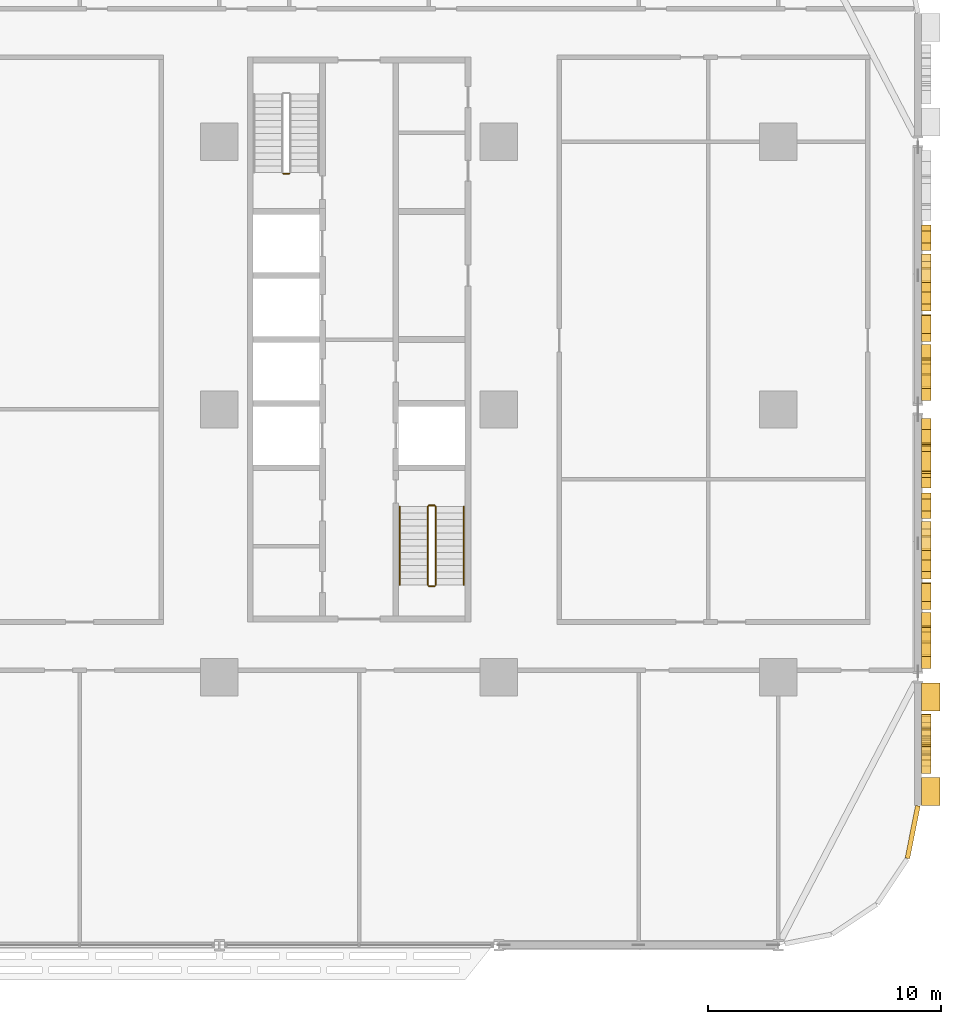
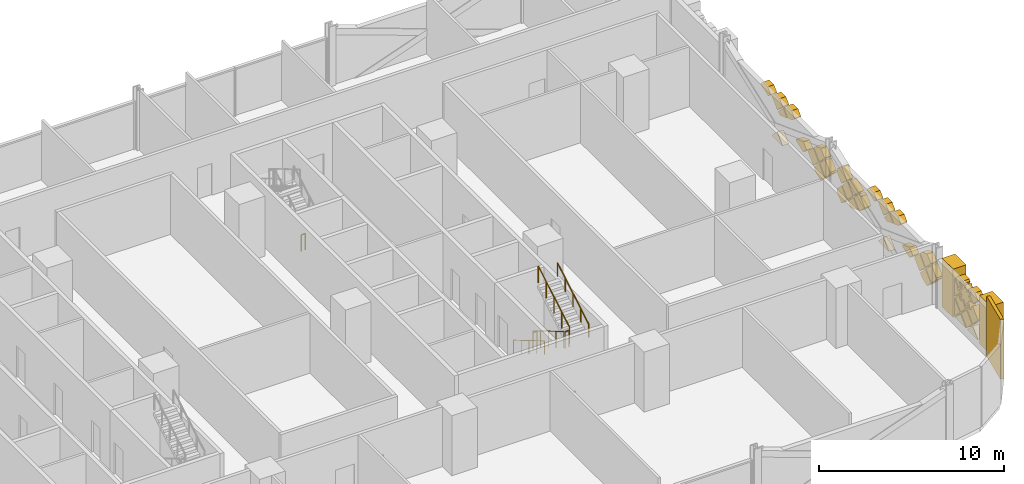
# One storey, part 26 of 28: 39 coverings, 7 railings.
"""IFC4 building model written with IfcOpenShell, lengths in metres."""

from ifc_helpers import new_model, si_unit, direction, frame, origin, origin_2d, place, context, subcontext, project, spatial, polyline, rectangle, circle, outline, extrude, material, layer, layer_set, type_object, element, save


model = new_model("IFC4")

# Units and contexts
model_context = context("Model", 3, precision=1e-05, world=origin(), true_north=direction((0.0, 1.0)))
body_context = subcontext(model_context, "Body", "Model", "MODEL_VIEW")
ifc_project = project(units=[si_unit("LENGTHUNIT", "METRE"), si_unit("AREAUNIT", "SQUARE_METRE"), si_unit("VOLUMEUNIT", "CUBIC_METRE"), si_unit("PLANEANGLEUNIT", "RADIAN"), si_unit("MASSUNIT", "GRAM", prefix="KILO")], contexts=[model_context])

# Site, building, storey
site_placement = place(None, origin())
site = spatial("IfcSite", under=ifc_project, at=site_placement, CompositionType="ELEMENT")
building_placement = place(site_placement, origin())
building = spatial("IfcBuilding", under=site, at=building_placement, Name="Mahtab Terrace Research Tower", CompositionType="ELEMENT")
storey_placement = place(building_placement, frame((0.0, 0.0, 33.0)))
storey = spatial("IfcBuildingStorey", under=building, at=storey_placement, Name="L07", CompositionType="ELEMENT", Elevation=33.0)

# Coverings
ifc_material_1 = material(Name="Black aluminium cladding panel", Category="aluminium")
ifc_layer_1 = layer(ifc_material_1, 0.199951171875)
ifc_layer_set_1 = layer_set([ifc_layer_1], Name="Black metal corner cladding 200")
covering_type_1 = type_object("IfcCoveringType", Name="Black metal corner cladding 200", PredefinedType="CLADDING", material=ifc_layer_set_1)
covering_1_placement = place(storey_placement, frame((47.771484375, -18.14794921875, 0.0), z_axis=(0.0, 0.0, 1.0), x_axis=(0.195212442692, 0.980760981187, 0.0)))
element("IfcCovering", 1, at=covering_1_placement, inside=storey, type_object=covering_type_1, Name="Corner cladding L07 32", PredefinedType="CLADDING", context=body_context, shape_type="SweptSolid", body=[
    extrude(rectangle(XDim=2.30126953125, YDim=0.199951171875, at=origin_2d()), origin(), (0.0, 0.0, 1.0), 3.9599609375),
])
ifc_material_2 = material(Name="Bronze anodised aluminium", Category="aluminium")
ifc_layer_2 = layer(ifc_material_2, 0.39990234375)
ifc_layer_set_2 = layer_set([ifc_layer_2], Name="Mashrabiya relief panel 400")
covering_type_2 = type_object("IfcCoveringType", Name="Mashrabiya relief panel 400", PredefinedType="CLADDING", material=ifc_layer_set_2)
covering_2_placement = place(storey_placement, frame((48.14990234375, -14.10498046875, 2.60107421875), z_axis=(-1.0, 0.0, 0.0), x_axis=(0.0, 0.924784909208, 0.380490304346)))
element("IfcCovering", 2, at=covering_2_placement, inside=storey, type_object=covering_type_2, Name="Girih star panel L07 E33.1", PredefinedType="CLADDING", context=body_context, shape_type="SweptSolid", body=[
    extrude(outline(polyline([(0.0, 0.0), (0.3785719822676483, 0.0), (0.11215445471266995, 0.26895807623038387), (0.37961207055159285, 0.5358142483447127), (0.0017974035497291263, 0.5371818243111587), (0.0017974035497291263, 0.9157538065788071), (-0.26716067268065474, 0.6493362790238286), (-0.5340168447949836, 0.9167938948627515), (-0.5353844207614296, 0.5389792278608878), (-0.9139564030290779, 0.5389792278608878), (-0.6475388754740995, 0.270021151630504), (-0.9149964913130224, 0.0031649795161750593), (-0.5371818243111587, 0.0017974035497291263), (-0.5371818243111587, -0.3767745787179192), (-0.2682237480807748, -0.11035705116294083), (-0.0013675759664459608, -0.3778146670018637), (0.0, 0.0)])), origin(), (0.0, 0.0, -1.0), 0.39990234375),
])
covering_3_placement = place(storey_placement, frame((48.14990234375, -15.6298828125, 0.14990234375), z_axis=(-1.0, 0.0, 0.0), x_axis=(0.0, 0.706957932274, 0.707255598772)))
element("IfcCovering", 3, at=covering_3_placement, inside=storey, type_object=covering_type_2, Name="Mashrabiya lattice cell L07 E33.2", PredefinedType="CLADDING", context=body_context, shape_type="SweptSolid", body=[
    extrude(outline(polyline([(0.0, 0.0), (0.8201817362875763, 0.0), (0.8200090664636573, 0.8203543334390104), (0.7987751838156829, 0.8201772305935179), (-4.43302157367674e-06, 0.021061285496540252), (0.0, 0.0)])), origin(), (0.0, 0.0, -1.0), 0.39990234375),
])
covering_4_placement = place(storey_placement, frame((48.14990234375, -14.469970703125, 1.449951171875), z_axis=(-1.0, 0.0, 0.0), x_axis=(0.0, -0.707255598772, -0.706957932274)))
element("IfcCovering", 4, at=covering_4_placement, inside=storey, type_object=covering_type_2, Name="Mashrabiya lattice cell L07 E33.3", PredefinedType="CLADDING", context=body_context, shape_type="SweptSolid", body=[
    extrude(outline(polyline([(0.0, 0.0), (0.8201817362875763, 0.0), (0.8203543334390104, 0.8200090664636573), (0.00017266982391900276, 0.8203543334390104), (0.00011518588843079103, 0.5472481559346933), (0.08417653916049625, 0.4942319794679374), (0.11402400074357985, 0.4080815829473978), (0.08206910977336403, 0.3240157966537586), (5.7483935488156224e-05, 0.27310617750431704), (0.0, 0.0)])), origin(), (0.0, 0.0, -1.0), 0.39990234375),
])
covering_5_placement = place(storey_placement, frame((48.14990234375, -15.6298828125, 2.75), z_axis=(-1.0, 0.0, 0.0), x_axis=(0.0, 0.706835286964, 0.707378171209)))
element("IfcCovering", 5, at=covering_5_placement, inside=storey, type_object=covering_type_2, Name="Mashrabiya lattice cell L07 E33.4", PredefinedType="CLADDING", context=body_context, shape_type="SweptSolid", body=[
    extrude(outline(polyline([(0.0, 0.0), (0.44971027849414613, 0.0), (0.8200395084317461, 0.3706136609897794), (0.819892388921998, 0.7538599838832514), (0.7272681987663545, 0.5454557879782264), (0.6751481302859101, 0.5057300743037028), (0.619909790899303, 0.4943150582883476), (0.5568922754895989, 0.5106910502044836), (0.510955732781931, 0.5524507242362976), (0.40330905019983293, 0.802555348748941), (0.12903401563658623, 0.6993878588082236), (0.05047683633462874, 0.722663225571144), (-0.0004755538747529542, 0.7891075652371851), (0.0, 0.0)])), origin(), (0.0, 0.0, -1.0), 0.39990234375),
])
covering_6_placement = place(storey_placement, frame((48.14990234375, -14.39990234375, 1.3798828125), z_axis=(-1.0, 0.0, 0.0), x_axis=(0.0, 0.707106781187, -0.707106781187)))
element("IfcCovering", 6, at=covering_6_placement, inside=storey, type_object=covering_type_2, Name="Mashrabiya lattice cell L07 E33.5", PredefinedType="CLADDING", context=body_context, shape_type="SweptSolid", body=[
    extrude(outline(polyline([(0.0, 0.0), (0.8200090846279543, 0.0), (0.820181718119455, 0.820181718119455), (-0.0001726334915006511, 0.820181718119455), (0.0, 0.0)])), origin(), (0.0, 0.0, -1.0), 0.39990234375),
])
covering_7_placement = place(storey_placement, frame((48.14990234375, -14.330078125, 0.14990234375), z_axis=(-1.0, 0.0, 0.0), x_axis=(0.0, 0.707106781187, 0.707106781187)))
element("IfcCovering", 7, at=covering_7_placement, inside=storey, type_object=covering_type_2, Name="Mashrabiya lattice cell L07 E33.6", PredefinedType="CLADDING", context=body_context, shape_type="SweptSolid", body=[
    extrude(outline(polyline([(0.0, 0.0), (0.8203543516109556, 0.0), (0.8203543516109556, 0.8203543516109556), (0.7991204321563791, 0.820181718119455), (0.00017263349150062335, 0.021233919454576502), (0.0, 0.0)])), origin(), (0.0, 0.0, -1.0), 0.39990234375),
])
covering_8_placement = place(storey_placement, frame((48.14990234375, -13.169921875, 1.449951171875), z_axis=(-1.0, 0.0, 0.0), x_axis=(0.0, -0.707255598772, -0.706957932274)))
element("IfcCovering", 8, at=covering_8_placement, inside=storey, type_object=covering_type_2, Name="Mashrabiya lattice cell L07 E33.7", PredefinedType="CLADDING", context=body_context, shape_type="SweptSolid", body=[
    extrude(outline(polyline([(0.0, 0.0), (0.8201817362875763, 0.0), (0.8205204627392961, 0.7891076358333108), (0.7695795944213842, 0.7226544622693455), (0.6910264521358248, 0.6993654744233052), (0.4167335329544889, 0.8024854048553962), (0.3091302189167444, 0.5523621186910813), (0.26043849133135283, 0.5092139935923002), (0.2001862428791442, 0.4942075615130398), (0.13579711322887691, 0.5092402283593183), (0.09281896907207673, 0.5453296750080786), (0.00015864403434978636, 0.7537178071958586), (0.0, 0.0)])), origin(), (0.0, 0.0, -1.0), 0.39990234375),
])
covering_9_placement = place(storey_placement, frame((48.14990234375, -13.169921875, 2.75), z_axis=(-1.0, 0.0, 0.0), x_axis=(0.0, -0.707106781187, -0.707106781187)))
element("IfcCovering", 9, at=covering_9_placement, inside=storey, type_object=covering_type_2, Name="Mashrabiya lattice cell L07 E33.8", PredefinedType="CLADDING", context=body_context, shape_type="SweptSolid", body=[
    extrude(outline(polyline([(0.0, 0.0), (0.5106498678588398, 0.0), (0.5904065409321271, 0.1916231755656904), (0.3402606117477259, 0.29917384077057785), (0.29710223887257037, 0.34785648537375324), (0.2820831251120163, 0.4122487777034852), (0.2971022388725704, 0.4724978662372023), (0.34026061174772587, 0.5211805108403778), (0.5904065409321271, 0.6287311760452652), (0.5106498678588398, 0.8203543516109555), (0.37047147276033476, 0.8203543516109556), (0.0, 0.44988287885062084), (0.0, 0.0)])), origin(), (0.0, 0.0, -1.0), 0.39990234375),
])
covering_10_placement = place(storey_placement, frame((48.14990234375, -13.10009765625, 0.219970703125), z_axis=(-1.0, 0.0, 0.0), x_axis=(0.0, -0.706957932274, 0.707255598772)))
element("IfcCovering", 10, at=covering_10_placement, inside=storey, type_object=covering_type_2, Name="Mashrabiya lattice cell L07 E33.9", PredefinedType="CLADDING", context=body_context, shape_type="SweptSolid", body=[
    extrude(outline(polyline([(0.0, 0.0), (0.8201817362875763, 0.0), (0.8203543334390104, 0.8200090664636573), (0.7977393828896235, 0.8201864599990892), (4.796383997748149e-06, 0.022787620373305846), (0.0, 0.0)])), origin(), (0.0, 0.0, -1.0), 0.39990234375),
])
covering_11_placement = place(storey_placement, frame((48.14990234375, -13.10009765625, 1.52001953125), z_axis=(-1.0, 0.0, 0.0), x_axis=(0.0, -0.707106781187, 0.707106781187)))
element("IfcCovering", 11, at=covering_11_placement, inside=storey, type_object=covering_type_2, Name="Mashrabiya lattice cell L07 E33.10", PredefinedType="CLADDING", context=body_context, shape_type="SweptSolid", body=[
    extrude(outline(polyline([(0.0, 0.0), (0.7692548381267715, 0.0), (0.705553079763042, 0.15692384377406537), (0.7000288080350221, 0.20940442519025443), (0.737490275690657, 0.2920958676190523), (0.820181718119455, 0.3323194711386973), (0.820181718119455, 0.820181718119455), (0.7975667307328734, 0.8203543516109556), (-0.00017263349150062161, 0.022614987386581478), (0.0, 0.0)])), origin(), (0.0, 0.0, -1.0), 0.39990234375),
])
covering_12_placement = place(storey_placement, frame((48.14990234375, -10.60107421875, 2.030029296875), z_axis=(-1.0, 0.0, 0.0), x_axis=(0.0, 0.707106781187, -0.707106781187)))
element("IfcCovering", 12, at=covering_12_placement, inside=storey, type_object=covering_type_2, Name="Mashrabiya lattice cell L07 E34.1", PredefinedType="CLADDING", context=body_context, shape_type="SweptSolid", body=[
    extrude(outline(polyline([(0.0, 0.0), (0.8203543516109556, 0.0), (0.820181718119455, 0.820181718119455), (0.0920136509698315, 0.820181718119455), (0.0001726334915005956, 0.728340700641124), (0.0, 0.0)])), origin(), (0.0, 0.0, -1.0), 0.39990234375),
])
covering_13_placement = place(storey_placement, frame((48.14990234375, -10.531005859375, 0.800048828125), z_axis=(-1.0, 0.0, 0.0), x_axis=(0.0, 0.707255598772, 0.706957932274)))
element("IfcCovering", 13, at=covering_13_placement, inside=storey, type_object=covering_type_2, Name="Mashrabiya lattice cell L07 E34.2", PredefinedType="CLADDING", context=body_context, shape_type="SweptSolid", body=[
    extrude(outline(polyline([(0.0, 0.0), (0.8201817362875763, 0.0), (0.8203543334390104, 0.8200090664636573), (0.4866538380964635, 0.820251937907907), (0.00012594141618332833, 0.5983476682869551), (0.0, 0.0)])), origin(), (0.0, 0.0, -1.0), 0.39990234375),
])
covering_14_placement = place(storey_placement, frame((48.14990234375, -9.37109375, 2.10009765625), z_axis=(-1.0, 0.0, 0.0), x_axis=(0.0, -0.706957932274, -0.707255598772)))
element("IfcCovering", 14, at=covering_14_placement, inside=storey, type_object=covering_type_2, Name="Mashrabiya lattice cell L07 E34.3", PredefinedType="CLADDING", context=body_context, shape_type="SweptSolid", body=[
    extrude(outline(polyline([(0.0, 0.0), (0.8201817362875763, 0.0), (0.8200090664636573, 0.8203543334390104), (0.2599860324408986, 0.8202364586686415), (-5.268755149043236e-05, 0.25031855713101114), (0.0, 0.0)])), origin(), (0.0, 0.0, -1.0), 0.39990234375),
])
covering_15_placement = place(storey_placement, frame((48.14990234375, -9.301025390625, 2.030029296875), z_axis=(-1.0, 0.0, 0.0), x_axis=(0.0, 0.707106781187, -0.707106781187)))
element("IfcCovering", 15, at=covering_15_placement, inside=storey, type_object=covering_type_2, Name="Mashrabiya lattice cell L07 E34.4", PredefinedType="CLADDING", context=body_context, shape_type="SweptSolid", body=[
    extrude(outline(polyline([(0.0, 0.0), (0.8203543516109556, 0.0), (0.820181718119455, 0.820181718119455), (0.0, 0.8203543516109556), (0.0, 0.0)])), origin(), (0.0, 0.0, -1.0), 0.39990234375),
])
covering_16_placement = place(storey_placement, frame((48.14990234375, -8.5810546875, 1.449951171875), z_axis=(-1.0, 0.0, 0.0), x_axis=(0.0, 0.707106781187, 0.707106781187)))
element("IfcCovering", 16, at=covering_16_placement, inside=storey, type_object=covering_type_2, Name="Mashrabiya lattice cell L07 E34.5", PredefinedType="CLADDING", context=body_context, shape_type="SweptSolid", body=[
    extrude(outline(polyline([(0.0, 0.0), (0.47957583938872783, 0.0), (0.8203543516109556, 0.7481935521636957), (0.8203543516109556, 0.8203543516109556), (0.6648115757688952, 0.820181718119455), (0.0, 0.5175552075188646), (0.0, 0.0)])), origin(), (0.0, 0.0, -1.0), 0.39990234375),
])
covering_17_placement = place(storey_placement, frame((48.14990234375, -7.281005859375, 2.75), z_axis=(-1.0, 0.0, 0.0), x_axis=(0.0, 0.707106781187, 0.707106781187)))
element("IfcCovering", 17, at=covering_17_placement, inside=storey, type_object=covering_type_2, Name="Mashrabiya lattice cell L07 E34.6", PredefinedType="CLADDING", context=body_context, shape_type="SweptSolid", body=[
    extrude(outline(polyline([(0.0, 0.0), (0.44988287885062084, 0.0), (0.8203543516109556, 0.37047147276033476), (0.820181718119455, 0.820181718119455), (0.1980106147512134, 0.820181718119455), (0.0, 0.3873895549273957), (0.0, 0.0)])), origin(), (0.0, 0.0, -1.0), 0.39990234375),
])
covering_18_placement = place(storey_placement, frame((48.14990234375, -6.051025390625, 2.679931640625), z_axis=(-1.0, 0.0, 0.0), x_axis=(0.0, 0.707106781187, -0.707106781187)))
element("IfcCovering", 18, at=covering_18_placement, inside=storey, type_object=covering_type_2, Name="Mashrabiya lattice cell L07 E34.7", PredefinedType="CLADDING", context=body_context, shape_type="SweptSolid", body=[
    extrude(outline(polyline([(0.0, 0.0), (0.8089605411719145, 0.0), (0.6893255315619835, 0.2636113415214497), (0.0, 0.5783221965270836), (0.0, 0.0)])), origin(), (0.0, 0.0, -1.0), 0.39990234375),
])
covering_19_placement = place(storey_placement, frame((48.14990234375, -5.98095703125, 0.14990234375), z_axis=(-1.0, 0.0, 0.0), x_axis=(0.0, 0.706957176456, 0.707256354271)))
element("IfcCovering", 19, at=covering_19_placement, inside=storey, type_object=covering_type_2, Name="Mashrabiya lattice cell L07 E34.8", PredefinedType="CLADDING", context=body_context, shape_type="SweptSolid", body=[
    extrude(outline(polyline([(0.0, 0.0), (0.8160385325838049, 5.551115123125783e-17), (0.8200081897812366, 0.8203552097515207), (0.7989469042894457, 0.82035075422254), (-4.455528980705156e-06, 0.021061285491790822), (0.0, 0.0)])), origin(), (0.0, 0.0, -1.0), 0.39990234375),
])
covering_20_placement = place(storey_placement, frame((48.14990234375, -4.821044921875, 2.75), z_axis=(-1.0, 0.0, 0.0), x_axis=(0.0, -0.706957932274, -0.707255598772)))
element("IfcCovering", 20, at=covering_20_placement, inside=storey, type_object=covering_type_2, Name="Mashrabiya lattice cell L07 E34.9", PredefinedType="CLADDING", context=body_context, shape_type="SweptSolid", body=[
    extrude(outline(polyline([(0.0, 0.0), (0.8201817362875763, 0.0), (0.8200090664636573, 0.8203543334390104), (0.37029879472997757, 0.8204323110152163), (-0.00026728939914730243, 0.4497101990611949), (0.0, 0.0)])), origin(), (0.0, 0.0, -1.0), 0.39990234375),
])
covering_21_placement = place(storey_placement, frame((48.14990234375, -4.680908203125, 2.75), z_axis=(-1.0, 0.0, 0.0), x_axis=(0.0, 0.706835286964, 0.707378171209)))
element("IfcCovering", 21, at=covering_21_placement, inside=storey, type_object=covering_type_2, Name="Mashrabiya lattice cell L07 E34.10", PredefinedType="CLADDING", context=body_context, shape_type="SweptSolid", body=[
    extrude(outline(polyline([(0.0, 0.0), (0.44971027849414613, 0.0), (0.8200395084317461, 0.3706136609897794), (0.8199020643492158, 0.7286554959812483), (-0.00013572106124498662, 0.353553364543167), (0.0, 0.0)])), origin(), (0.0, 0.0, -1.0), 0.39990234375),
])
covering_22_placement = place(storey_placement, frame((48.14990234375, -3.381103515625, 1.449951171875), z_axis=(-1.0, 0.0, 0.0), x_axis=(0.0, 0.707106781187, 0.707106781187)))
element("IfcCovering", 22, at=covering_22_placement, inside=storey, type_object=covering_type_2, Name="Mashrabiya lattice cell L07 E34.11", PredefinedType="CLADDING", context=body_context, shape_type="SweptSolid", body=[
    extrude(outline(polyline([(0.0, 0.0), (0.6618768064133846, 0.0), (0.8203543516109556, 0.07216079944725995), (0.8203543516109556, 0.8203543516109556), (0.034008797825622494, 0.820181718119455), (0.0001726334915006511, 0.745258782808185), (0.0, 0.0)])), origin(), (0.0, 0.0, -1.0), 0.39990234375),
])
covering_23_placement = place(storey_placement, frame((48.14990234375, -2.15087890625, 1.3798828125), z_axis=(-1.0, 0.0, 0.0), x_axis=(0.0, 0.707106781187, -0.707106781187)))
element("IfcCovering", 23, at=covering_23_placement, inside=storey, type_object=covering_type_2, Name="Mashrabiya lattice cell L07 E34.12", PredefinedType="CLADDING", context=body_context, shape_type="SweptSolid", body=[
    extrude(outline(polyline([(0.0, 0.0), (0.8200090846279543, 0.0), (0.8200090846279543, 0.3663282689643198), (-0.0001726334915005956, 0.7411155790121702), (0.0, 0.0)])), origin(), (0.0, 0.0, -1.0), 0.39990234375),
])
covering_24_placement = place(storey_placement, frame((48.14990234375, -1.571044921875, 2.10009765625), z_axis=(-1.0, 0.0, 0.0), x_axis=(0.0, -0.706957932274, -0.707255598772)))
element("IfcCovering", 24, at=covering_24_placement, inside=storey, type_object=covering_type_2, Name="Mashrabiya lattice cell L07 E34.13", PredefinedType="CLADDING", context=body_context, shape_type="SweptSolid", body=[
    extrude(outline(polyline([(0.0, 0.0), (0.8201817362875763, 0.0), (0.8200337751084942, 0.70296356181895), (-6.932955051291989e-05, 0.3293846944868754), (0.0, 0.0)])), origin(), (0.0, 0.0, -1.0), 0.39990234375),
])
covering_25_placement = place(storey_placement, frame((48.14990234375, -1.5009765625, 2.030029296875), z_axis=(-1.0, 0.0, 0.0), x_axis=(0.0, 0.707106781187, -0.707106781187)))
element("IfcCovering", 25, at=covering_25_placement, inside=storey, type_object=covering_type_2, Name="Mashrabiya lattice cell L07 E34.14", PredefinedType="CLADDING", context=body_context, shape_type="SweptSolid", body=[
    extrude(outline(polyline([(0.0, 0.0), (0.8203543516109556, 0.0), (0.820181718119455, 0.820181718119455), (0.0, 0.8203543516109556), (0.0, 0.0)])), origin(), (0.0, 0.0, -1.0), 0.39990234375),
])
covering_26_placement = place(storey_placement, frame((48.14990234375, -0.85107421875, 0.219970703125), z_axis=(-1.0, 0.0, 0.0), x_axis=(0.0, -0.706957932274, 0.707255598772)))
element("IfcCovering", 26, at=covering_26_placement, inside=storey, type_object=covering_type_2, Name="Mashrabiya lattice cell L07 E34.15", PredefinedType="CLADDING", context=body_context, shape_type="SweptSolid", body=[
    extrude(outline(polyline([(0.0, 0.0), (0.8201817362875763, 0.0), (0.8203543334390104, 0.8200090664636573), (0.16003127941241302, 0.8203206860785415), (0.00013902246344993374, 0.6604957238505165), (0.0, 0.0)])), origin(), (0.0, 0.0, -1.0), 0.39990234375),
])
covering_27_placement = place(storey_placement, frame((48.14990234375, -0.85107421875, 1.52001953125), z_axis=(-1.0, 0.0, 0.0), x_axis=(0.0, -0.706957932274, 0.707255598772)))
element("IfcCovering", 27, at=covering_27_placement, inside=storey, type_object=covering_type_2, Name="Mashrabiya lattice cell L07 E34.16", PredefinedType="CLADDING", context=body_context, shape_type="SweptSolid", body=[
    extrude(outline(polyline([(0.0, 0.0), (0.8201817362875763, 0.0), (0.8203543334390104, 0.8200090664636573), (0.15985860958849407, 0.8201480889271073), (0.00013902246344993374, 0.6604957238505165), (0.0, 0.0)])), origin(), (0.0, 0.0, -1.0), 0.39990234375),
])
covering_28_placement = place(storey_placement, frame((48.14990234375, 0.89892578125, 2.030029296875), z_axis=(-1.0, 0.0, 0.0), x_axis=(0.0, 0.707106781187, -0.707106781187)))
element("IfcCovering", 28, at=covering_28_placement, inside=storey, type_object=covering_type_2, Name="Mashrabiya lattice cell L07 E35.1", PredefinedType="CLADDING", context=body_context, shape_type="SweptSolid", body=[
    extrude(outline(polyline([(0.0, 0.0), (0.8203543516109556, 0.0), (0.820181718119455, 0.820181718119455), (0.0920136509698315, 0.820181718119455), (0.0001726334915005956, 0.728340700641124), (0.0, 0.0)])), origin(), (0.0, 0.0, -1.0), 0.39990234375),
])
covering_29_placement = place(storey_placement, frame((48.14990234375, 0.968994140625, 0.800048828125), z_axis=(-1.0, 0.0, 0.0), x_axis=(0.0, 0.707255598772, 0.706957932274)))
element("IfcCovering", 29, at=covering_29_placement, inside=storey, type_object=covering_type_2, Name="Mashrabiya lattice cell L07 E35.2", PredefinedType="CLADDING", context=body_context, shape_type="SweptSolid", body=[
    extrude(outline(polyline([(0.0, 0.0), (0.8201817362875763, 0.0), (0.8203543334390104, 0.8200090664636573), (0.4866538380964635, 0.820251937907907), (0.00012594141618332833, 0.5983476682869551), (0.0, 0.0)])), origin(), (0.0, 0.0, -1.0), 0.39990234375),
])
covering_30_placement = place(storey_placement, frame((48.14990234375, 2.12890625, 2.10009765625), z_axis=(-1.0, 0.0, 0.0), x_axis=(0.0, -0.706957932274, -0.707255598772)))
element("IfcCovering", 30, at=covering_30_placement, inside=storey, type_object=covering_type_2, Name="Mashrabiya lattice cell L07 E35.3", PredefinedType="CLADDING", context=body_context, shape_type="SweptSolid", body=[
    extrude(outline(polyline([(0.0, 0.0), (0.8201817362875763, 0.0), (0.8200090664636573, 0.8203543334390104), (0.2599860324408986, 0.8202364586686415), (-5.268755149043236e-05, 0.25031855713101114), (0.0, 0.0)])), origin(), (0.0, 0.0, -1.0), 0.39990234375),
])
covering_31_placement = place(storey_placement, frame((48.14990234375, 2.198974609375, 2.030029296875), z_axis=(-1.0, 0.0, 0.0), x_axis=(0.0, 0.707106781187, -0.707106781187)))
element("IfcCovering", 31, at=covering_31_placement, inside=storey, type_object=covering_type_2, Name="Mashrabiya lattice cell L07 E35.4", PredefinedType="CLADDING", context=body_context, shape_type="SweptSolid", body=[
    extrude(outline(polyline([(0.0, 0.0), (0.8203543516109556, 0.0), (0.820181718119455, 0.820181718119455), (0.0, 0.8203543516109556), (0.0, 0.0)])), origin(), (0.0, 0.0, -1.0), 0.39990234375),
])
covering_32_placement = place(storey_placement, frame((48.14990234375, 2.9189453125, 1.449951171875), z_axis=(-1.0, 0.0, 0.0), x_axis=(0.0, 0.707106781187, 0.707106781187)))
element("IfcCovering", 32, at=covering_32_placement, inside=storey, type_object=covering_type_2, Name="Mashrabiya lattice cell L07 E35.5", PredefinedType="CLADDING", context=body_context, shape_type="SweptSolid", body=[
    extrude(outline(polyline([(0.0, 0.0), (0.47957583938872783, 0.0), (0.8203543516109556, 0.7481935521636957), (0.8203543516109556, 0.8203543516109556), (0.6648115757688952, 0.820181718119455), (0.0, 0.5175552075188646), (0.0, 0.0)])), origin(), (0.0, 0.0, -1.0), 0.39990234375),
])
covering_33_placement = place(storey_placement, frame((48.14990234375, 4.218994140625, 2.75), z_axis=(-1.0, 0.0, 0.0), x_axis=(0.0, 0.707106781187, 0.707106781187)))
element("IfcCovering", 33, at=covering_33_placement, inside=storey, type_object=covering_type_2, Name="Mashrabiya lattice cell L07 E35.6", PredefinedType="CLADDING", context=body_context, shape_type="SweptSolid", body=[
    extrude(outline(polyline([(0.0, 0.0), (0.44988287885062084, 0.0), (0.8203543516109556, 0.37047147276033476), (0.820181718119455, 0.820181718119455), (0.1980106147512134, 0.820181718119455), (0.0, 0.3873895549273957), (0.0, 0.0)])), origin(), (0.0, 0.0, -1.0), 0.39990234375),
])
covering_34_placement = place(storey_placement, frame((48.14990234375, 5.448974609375, 2.679931640625), z_axis=(-1.0, 0.0, 0.0), x_axis=(0.0, 0.707106781187, -0.707106781187)))
element("IfcCovering", 34, at=covering_34_placement, inside=storey, type_object=covering_type_2, Name="Mashrabiya lattice cell L07 E35.7", PredefinedType="CLADDING", context=body_context, shape_type="SweptSolid", body=[
    extrude(outline(polyline([(0.0, 0.0), (0.8089605411719145, 0.0), (0.6893255315619835, 0.2636113415214497), (0.0, 0.5783221965270836), (0.0, 0.0)])), origin(), (0.0, 0.0, -1.0), 0.39990234375),
])
covering_35_placement = place(storey_placement, frame((48.14990234375, 5.51904296875, 0.14990234375), z_axis=(-1.0, 0.0, 0.0), x_axis=(0.0, 0.706957176456, 0.707256354271)))
element("IfcCovering", 35, at=covering_35_placement, inside=storey, type_object=covering_type_2, Name="Mashrabiya lattice cell L07 E35.8", PredefinedType="CLADDING", context=body_context, shape_type="SweptSolid", body=[
    extrude(outline(polyline([(0.0, 0.0), (0.8160385325838049, 5.551115123125783e-17), (0.8200081897812366, 0.8203552097515207), (0.7989469042894457, 0.82035075422254), (-4.455528980705156e-06, 0.021061285491790822), (0.0, 0.0)])), origin(), (0.0, 0.0, -1.0), 0.39990234375),
])
covering_36_placement = place(storey_placement, frame((48.14990234375, 6.678955078125, 2.75), z_axis=(-1.0, 0.0, 0.0), x_axis=(0.0, -0.706957932274, -0.707255598772)))
element("IfcCovering", 36, at=covering_36_placement, inside=storey, type_object=covering_type_2, Name="Mashrabiya lattice cell L07 E35.9", PredefinedType="CLADDING", context=body_context, shape_type="SweptSolid", body=[
    extrude(outline(polyline([(0.0, 0.0), (0.8201817362875763, 0.0), (0.8200090664636573, 0.8203543334390104), (0.37029879472997757, 0.8204323110152163), (-0.00026728939914730243, 0.4497101990611949), (0.0, 0.0)])), origin(), (0.0, 0.0, -1.0), 0.39990234375),
])
covering_37_placement = place(storey_placement, frame((48.14990234375, 6.819091796875, 2.75), z_axis=(-1.0, 0.0, 0.0), x_axis=(0.0, 0.706835286964, 0.707378171209)))
element("IfcCovering", 37, at=covering_37_placement, inside=storey, type_object=covering_type_2, Name="Mashrabiya lattice cell L07 E35.10", PredefinedType="CLADDING", context=body_context, shape_type="SweptSolid", body=[
    extrude(outline(polyline([(0.0, 0.0), (0.44971027849414613, 0.0), (0.8200395084317461, 0.3706136609897794), (0.8199020643492158, 0.7286554959812483), (-0.00013572106124498662, 0.353553364543167), (0.0, 0.0)])), origin(), (0.0, 0.0, -1.0), 0.39990234375),
])
ifc_material_3 = material(Name="Glazed ceramic tile cladding", Category="masonry")
ifc_layer_3 = layer(ifc_material_3, 0.800048828125)
ifc_layer_set_3 = layer_set([ifc_layer_3], Name="Pishtaq frame pier 800")
covering_type_3 = type_object("IfcCoveringType", Name="Pishtaq frame pier 800", PredefinedType="CLADDING", material=ifc_layer_set_3)
for number, where, z_axis, x_axis, name in (
    (38, (48.550048828125, -16.39990234375, 0.00048828125), (0.0, 0.0, 1.0), (0.0, 1.0, 0.0), "Pishtaq frame pier 33a"),
    (39, (48.550048828125, -12.34912109375, 0.00048828125), (0.0, 0.0, 1.0), (0.0, 1.0, 0.0), "Pishtaq frame pier 33b"),
):
    element("IfcCovering", number, at=place(storey_placement, frame(where, z_axis=z_axis, x_axis=x_axis)), inside=storey, type_object=covering_type_3, Name=name, PredefinedType="CLADDING", context=body_context, shape_type="SweptSolid", body=[
        extrude(rectangle(XDim=1.199951171875, YDim=0.800048828125, at=origin_2d()), origin(), (0.0, 0.0, 1.0), 3.202880859375),
    ])

# Railings
ifc_material_4 = material(Name="Stainless steel AISI 304", Category="steel")
railing_type_1 = type_object("IfcRailingType", Name="Stair guard 1100", PredefinedType="GUARDRAIL", material=ifc_material_4)
railing_1_placement = place(storey_placement, frame((21.0, 10.125, 0.0)))
element("IfcRailing", 40, at=railing_1_placement, inside=storey, type_object=railing_type_1, Name="L07 ST3 stair guard 4", PredefinedType="GUARDRAIL", context=body_context, shape_type="SweptSolid", body=[
    extrude(circle(Radius=0.02392578125, at=origin_2d()), frame((0.0, 0.0, 1.076171875), z_axis=(-1.0, 0.0, 0.0), x_axis=(0.0, -1.0, 0.0)), (0.0, 0.0, 1.0), 0.25),
    extrude(circle(Radius=0.02099609375, at=origin_2d()), origin(), (0.0, 0.0, 1.0), 1.052001953125),
    extrude(circle(Radius=0.02099609375, at=origin_2d()), frame((-0.25, 0.0, 0.0)), (0.0, 0.0, 1.0), 1.052001953125),
])
railing_2_placement = place(storey_placement, frame((26.949951171875, -4.175048828125, 0.165283203125)))
element("IfcRailing", 41, at=railing_2_placement, inside=storey, type_object=railing_type_1, Name="L07 ST4 stair guard 1", PredefinedType="GUARDRAIL", context=body_context, shape_type="SweptSolid", body=[
    extrude(circle(Radius=0.02392578125, at=origin_2d()), frame((0.0, 0.0, 1.076171875), z_axis=(0.0, -0.861011212953, 0.508585972249), x_axis=(1.0, 0.0, 0.0)), (0.0, 0.0, 1.0), 3.90234375),
    extrude(circle(Radius=0.02099609375, at=origin_2d()), origin(), (0.0, 0.0, 1.0), 1.052001953125),
    extrude(circle(Radius=0.02099609375, at=origin_2d()), frame((0.0, -0.83984375, 0.49609375)), (0.0, 0.0, 1.0), 1.052001953125),
    extrude(circle(Radius=0.02099609375, at=origin_2d()), frame((0.0, -1.679931640625, 0.9921875)), (0.0, 0.0, 1.0), 1.052001953125),
    extrude(circle(Radius=0.02099609375, at=origin_2d()), frame((0.0, -2.52001953125, 1.488525390625)), (0.0, 0.0, 1.0), 1.052001953125),
    extrude(circle(Radius=0.02099609375, at=origin_2d()), frame((0.0, -3.35986328125, 1.984619140625)), (0.0, 0.0, 1.0), 1.052001953125),
])
railing_3_placement = place(storey_placement, frame((27.0, -7.5849609375, 2.14990234375)))
element("IfcRailing", 42, at=railing_3_placement, inside=storey, type_object=railing_type_1, Name="L07 ST4 stair guard 2", PredefinedType="GUARDRAIL", context=body_context, shape_type="SweptSolid", body=[
    extrude(circle(Radius=0.02392578125, at=origin_2d()), frame((0.0, 0.0, 1.076171875), z_axis=(1.0, 0.0, 0.0), x_axis=(0.0, 1.0, 0.0)), (0.0, 0.0, 1.0), 0.25),
    extrude(circle(Radius=0.02099609375, at=origin_2d()), origin(), (0.0, 0.0, 1.0), 1.052001953125),
    extrude(circle(Radius=0.02099609375, at=origin_2d()), frame((0.25, 0.0, 0.0)), (0.0, 0.0, 1.0), 1.052001953125),
])
railing_4_placement = place(storey_placement, frame((27.300048828125, -7.534912109375, 2.3154296875)))
element("IfcRailing", 43, at=railing_4_placement, inside=storey, type_object=railing_type_1, Name="L07 ST4 stair guard 3", PredefinedType="GUARDRAIL", context=body_context, shape_type="SweptSolid", body=[
    extrude(circle(Radius=0.02392578125, at=origin_2d()), frame((0.0, 0.0, 1.076171875), z_axis=(0.0, 0.861011212953, 0.508585972249), x_axis=(-1.0, 0.0, 0.0)), (0.0, 0.0, 1.0), 3.90234375),
    extrude(circle(Radius=0.02099609375, at=origin_2d()), origin(), (0.0, 0.0, 1.0), 1.052001953125),
    extrude(circle(Radius=0.02099609375, at=origin_2d()), frame((0.0, 0.83984375, 0.49609375)), (0.0, 0.0, 1.0), 1.052001953125),
    extrude(circle(Radius=0.02099609375, at=origin_2d()), frame((0.0, 1.679931640625, 0.9921875)), (0.0, 0.0, 1.0), 1.052001953125),
    extrude(circle(Radius=0.02099609375, at=origin_2d()), frame((0.0, 2.52001953125, 1.488525390625)), (0.0, 0.0, 1.0), 1.052001953125),
    extrude(circle(Radius=0.02099609375, at=origin_2d()), frame((0.0, 3.35986328125, 1.984619140625)), (0.0, 0.0, 1.0), 1.052001953125),
])
railing_5_placement = place(storey_placement, frame((27.0, -4.125, 0.0)))
element("IfcRailing", 44, at=railing_5_placement, inside=storey, type_object=railing_type_1, Name="L07 ST4 stair guard 4", PredefinedType="GUARDRAIL", context=body_context, shape_type="SweptSolid", body=[
    extrude(circle(Radius=0.02392578125, at=origin_2d()), frame((0.0, 0.0, 1.076171875), z_axis=(1.0, 0.0, 0.0), x_axis=(0.0, 1.0, 0.0)), (0.0, 0.0, 1.0), 0.25),
    extrude(circle(Radius=0.02099609375, at=origin_2d()), origin(), (0.0, 0.0, 1.0), 1.052001953125),
    extrude(circle(Radius=0.02099609375, at=origin_2d()), frame((0.25, 0.0, 0.0)), (0.0, 0.0, 1.0), 1.052001953125),
])
railing_type_2 = type_object("IfcRailingType", Name="Stair handrail 900", PredefinedType="HANDRAIL", material=ifc_material_4)
railing_6_placement = place(storey_placement, frame((25.75, -4.175048828125, 0.165283203125)))
element("IfcRailing", 45, at=railing_6_placement, inside=storey, type_object=railing_type_2, Name="L07 ST4 stair handrail 1", PredefinedType="HANDRAIL", context=body_context, shape_type="SweptSolid", body=[
    extrude(circle(Radius=0.02392578125, at=origin_2d()), frame((0.0, 0.0, 0.8759765625), z_axis=(0.0, -0.861011212953, 0.508585972249), x_axis=(1.0, 0.0, 0.0)), (0.0, 0.0, 1.0), 3.90234375),
    extrude(circle(Radius=0.02099609375, at=origin_2d()), origin(), (0.0, 0.0, 1.0), 0.851806640625),
    extrude(circle(Radius=0.02099609375, at=origin_2d()), frame((0.0, -0.83984375, 0.49609375)), (0.0, 0.0, 1.0), 0.851806640625),
    extrude(circle(Radius=0.02099609375, at=origin_2d()), frame((0.0, -1.679931640625, 0.9921875)), (0.0, 0.0, 1.0), 0.851806640625),
    extrude(circle(Radius=0.02099609375, at=origin_2d()), frame((0.0, -2.52001953125, 1.488525390625)), (0.0, 0.0, 1.0), 0.851806640625),
    extrude(circle(Radius=0.02099609375, at=origin_2d()), frame((0.0, -3.35986328125, 1.984619140625)), (0.0, 0.0, 1.0), 0.851806640625),
])
railing_7_placement = place(storey_placement, frame((28.5, -7.534912109375, 2.3154296875)))
element("IfcRailing", 46, at=railing_7_placement, inside=storey, type_object=railing_type_2, Name="L07 ST4 stair handrail 2", PredefinedType="HANDRAIL", context=body_context, shape_type="SweptSolid", body=[
    extrude(circle(Radius=0.02392578125, at=origin_2d()), frame((0.0, 0.0, 0.8759765625), z_axis=(0.0, 0.861011212953, 0.508585972249), x_axis=(-1.0, 0.0, 0.0)), (0.0, 0.0, 1.0), 3.90234375),
    extrude(circle(Radius=0.02099609375, at=origin_2d()), origin(), (0.0, 0.0, 1.0), 0.851806640625),
    extrude(circle(Radius=0.02099609375, at=origin_2d()), frame((0.0, 0.83984375, 0.49609375)), (0.0, 0.0, 1.0), 0.851806640625),
    extrude(circle(Radius=0.02099609375, at=origin_2d()), frame((0.0, 1.679931640625, 0.9921875)), (0.0, 0.0, 1.0), 0.851806640625),
    extrude(circle(Radius=0.02099609375, at=origin_2d()), frame((0.0, 2.52001953125, 1.488525390625)), (0.0, 0.0, 1.0), 0.851806640625),
    extrude(circle(Radius=0.02099609375, at=origin_2d()), frame((0.0, 3.35986328125, 1.984619140625)), (0.0, 0.0, 1.0), 0.851806640625),
])

save(model, "model.ifc")
